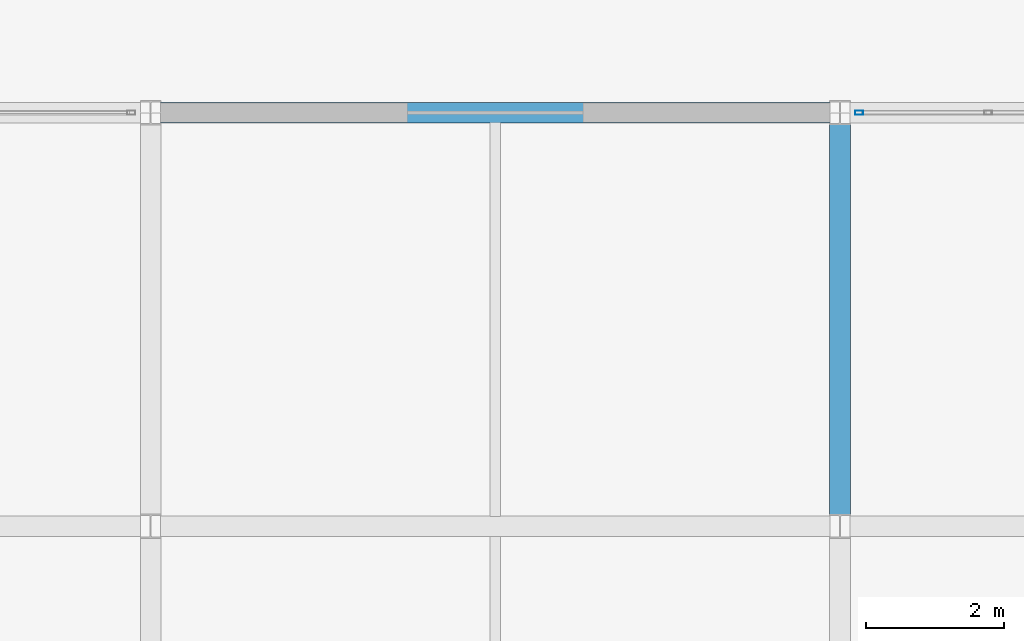
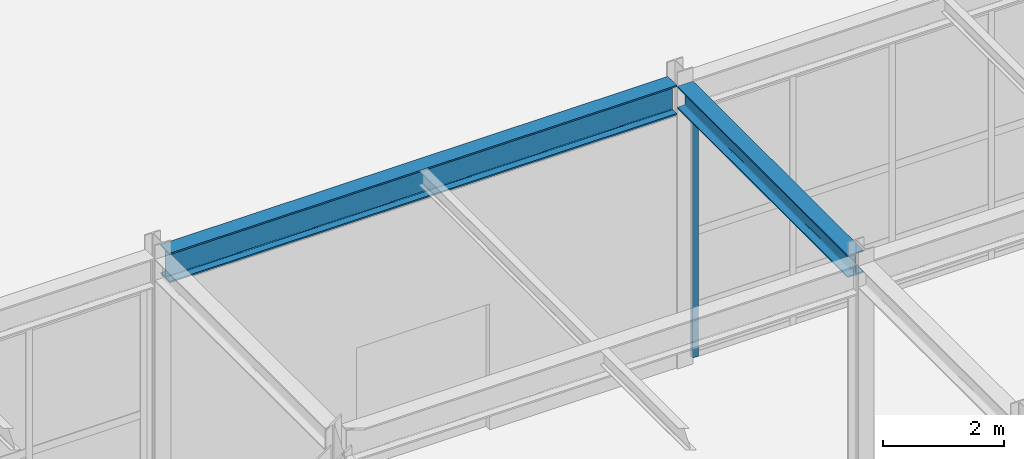
# One storey, part 99 of 146: 2 beams, 1 member, 1 element without a shape of its own.
"""IFC4 building model written with IfcOpenShell, lengths in metres."""

from ifc_helpers import new_model, si_unit, direction, frame, origin, origin_2d, place, context, subcontext, project, spatial, hollow_rectangle, i_section, extrude, material, material_profile, profile_set, type_object, element, aggregate, save


model = new_model("IFC4")

# Units and contexts
model_context = context("Model", 3, precision=1e-05, world=origin(), true_north=direction((0.0, 1.0)))
body_context = subcontext(model_context, "Body", "Model", "MODEL_VIEW")
ifc_project = project(units=[si_unit("LENGTHUNIT", "METRE"), si_unit("AREAUNIT", "SQUARE_METRE"), si_unit("VOLUMEUNIT", "CUBIC_METRE"), si_unit("PLANEANGLEUNIT", "RADIAN"), si_unit("MASSUNIT", "GRAM", prefix="KILO")], contexts=[model_context])

# Site, building, storey
site_placement = place(None, origin())
site = spatial("IfcSite", under=ifc_project, at=site_placement, CompositionType="ELEMENT")
building_placement = place(site_placement, origin())
building = spatial("IfcBuilding", under=site, at=building_placement, Name="Kaldris Quays Convention Centre", CompositionType="ELEMENT")
storey_placement = place(building_placement, origin())
storey = spatial("IfcBuildingStorey", under=building, at=storey_placement, Name="L00", CompositionType="ELEMENT", Elevation=0.0)

# Curtain wall, member
ifc_material_1 = material(Name="Anodized aluminium AW-6060 and triple glazing", Category="aluminium")
curtain_wall_type = type_object("IfcCurtainWallType", Name="UNITISED CURTAIN WALL CW06", PredefinedType="NOTDEFINED", material=ifc_material_1)
curtain_wall_placement = place(storey_placement, origin())
curtain_wall = element("IfcCurtainWall", 1, at=curtain_wall_placement, inside=storey, type_object=curtain_wall_type, Name="L00 Unitised Curtain Wall CW06 156", PredefinedType="NOTDEFINED")
ifc_material_2 = material(Name="Anodized aluminium AW-6060", Category="aluminium")
ifc_material_profile_1 = material_profile(ifc_material_2, hollow_rectangle(XDim=0.06005859375, YDim=0.1201171875, WallThickness=0.00390625, at=origin_2d()), Name="RHS 120x60x4")
ifc_profile_set_1 = profile_set([ifc_material_profile_1], Name="Anodized aluminium AW-6060")
member_type = type_object("IfcMemberType", Name="CURTAIN MULLION CWM3", PredefinedType="MULLION", material=ifc_profile_set_1)
member_placement = place(storey_placement, frame((184.280029296875, 116.0, 0.0), z_axis=(0.0, 0.0, 1.0), x_axis=(0.0, 1.0, 0.0)))
member = element("IfcMember", 2, at=member_placement, type_object=member_type, Name="CW06 mullion 1", PredefinedType="MULLION", context=body_context, shape_type="SweptSolid", body=[
    extrude(hollow_rectangle(XDim=0.06005859375, YDim=0.1201171875, WallThickness=0.00390625, at=origin_2d()), origin(), (0.0, 0.0, 1.0), 5.097900390625),
])
aggregate(curtain_wall, [member])

# Beams
ifc_material_3 = material(Name="Steel S355J2", Category="steel")
ifc_material_profile_2 = material_profile(ifc_material_3, i_section(OverallWidth=0.300048828125, OverallDepth=0.60009765625, WebThickness=0.015380859375, FlangeThickness=0.030029296875, FilletRadius=0.027099609375, at=origin_2d()), Name="HEB 600")
ifc_profile_set_2 = profile_set([ifc_material_profile_2], Name="Steel S355J2")
beam_type_1 = type_object("IfcBeamType", Name="STRUCTURAL BEAM BM05", PredefinedType="BEAM", material=ifc_profile_set_2)
beam_1_placement = place(storey_placement, frame((174.14404296875, 116.0, 5.423095703125), z_axis=(1.0, 0.0, 0.0), x_axis=(0.0, 1.0, 0.0)))
element("IfcBeam", 3, at=beam_1_placement, inside=storey, type_object=beam_type_1, Name="L00 Girder BM05 54", PredefinedType="BEAM", context=body_context, shape_type="SweptSolid", body=[
    extrude(i_section(OverallWidth=0.300048828125, OverallDepth=0.60009765625, WebThickness=0.015380859375, FlangeThickness=0.030029296875, FilletRadius=0.027099609375, at=origin_2d()), origin(), (0.0, 0.0, 1.0), 9.7119140625),
])
ifc_material_profile_3 = material_profile(ifc_material_3, i_section(OverallWidth=0.300048828125, OverallDepth=0.449951171875, WebThickness=0.013916015625, FlangeThickness=0.02587890625, FilletRadius=0.027099609375, at=origin_2d()), Name="HEB 450")
ifc_profile_set_3 = profile_set([ifc_material_profile_3], Name="Steel S355J2")
beam_type_2 = type_object("IfcBeamType", Name="STRUCTURAL BEAM BM07", PredefinedType="BEAM", material=ifc_profile_set_3)
beam_2_placement = place(storey_placement, frame((184.0, 110.174072265625, 5.498046875), z_axis=(0.0, 1.0, 0.0), x_axis=(-1.0, 0.0, 0.0)))
element("IfcBeam", 4, at=beam_2_placement, inside=storey, type_object=beam_type_2, Name="L00 Girder BM07 107", PredefinedType="BEAM", context=body_context, shape_type="SweptSolid", body=[
    extrude(i_section(OverallWidth=0.300048828125, OverallDepth=0.449951171875, WebThickness=0.013916015625, FlangeThickness=0.02587890625, FilletRadius=0.027099609375, at=origin_2d()), origin(), (0.0, 0.0, 1.0), 5.65185546875),
])

save(model, "model.ifc")
